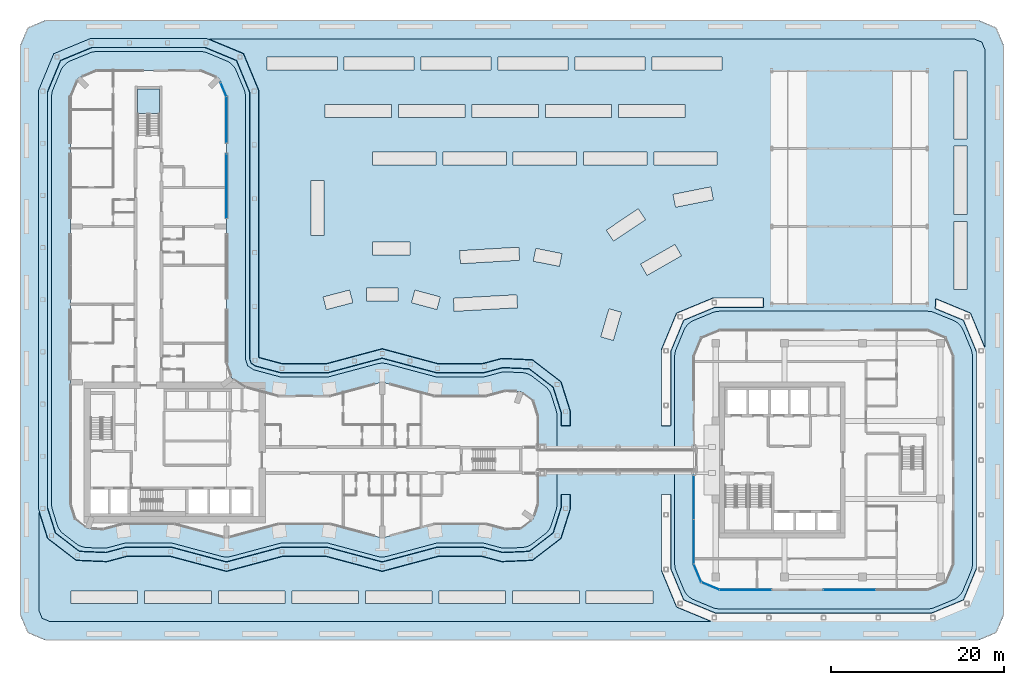
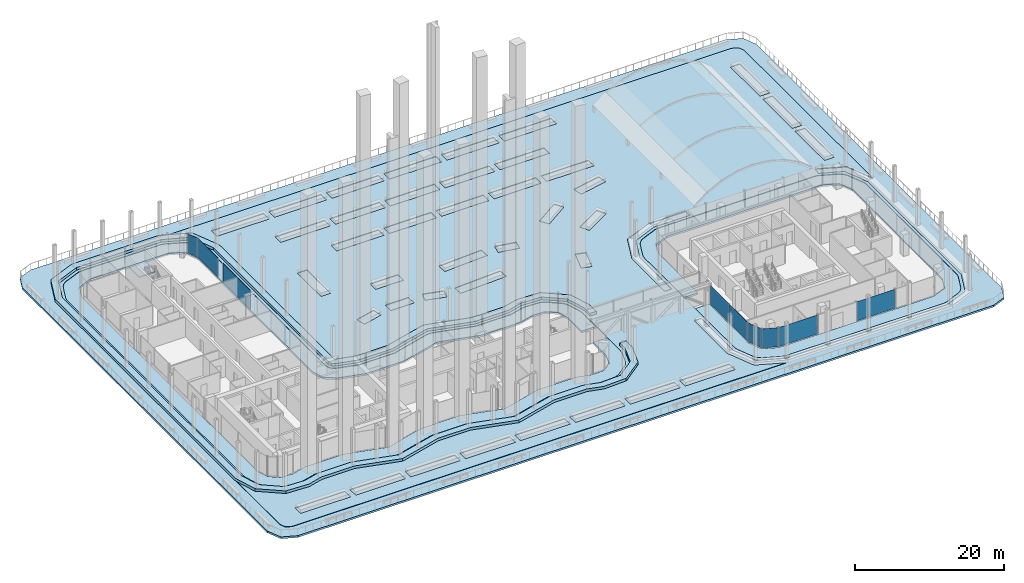
# One storey, part 21 of 33: 9 plates, 4 slabs, 9 elements without a shape of their own.
"""IFC4 building model written with IfcOpenShell, lengths in metres."""

from ifc_helpers import new_model, si_unit, direction, frame, origin, origin_2d, place, context, subcontext, project, spatial, polyline, rectangle, outline, extrude, material, layer, layer_set, type_object, element, aggregate, save


model = new_model("IFC4")

# Units and contexts
model_context = context("Model", 3, precision=1e-05, world=origin(), true_north=direction((0.0, 1.0)))
body_context = subcontext(model_context, "Body", "Model", "MODEL_VIEW")
ifc_project = project(units=[si_unit("LENGTHUNIT", "METRE"), si_unit("AREAUNIT", "SQUARE_METRE"), si_unit("VOLUMEUNIT", "CUBIC_METRE"), si_unit("PLANEANGLEUNIT", "RADIAN"), si_unit("MASSUNIT", "GRAM", prefix="KILO")], contexts=[model_context])

# Site, building, storey
site_placement = place(None, origin())
site = spatial("IfcSite", under=ifc_project, at=site_placement, CompositionType="ELEMENT")
building_placement = place(site_placement, origin())
building = spatial("IfcBuilding", under=site, at=building_placement, Name="Plateau Cross Towers", CompositionType="ELEMENT")
storey_placement = place(building_placement, frame((0.0, 0.0, 26.800048828125)))
storey = spatial("IfcBuildingStorey", under=building, at=storey_placement, Name="L05", CompositionType="ELEMENT", Elevation=26.800048828125)

# Curtain wall, plate
ifc_material_1 = material(Name="Dark low-iron glass", Category="glass")
ifc_layer_1 = layer(ifc_material_1, 0.239990234375)
ifc_layer_set_1 = layer_set([ifc_layer_1], Name="Dark low-iron glass")
curtain_wall_type_1 = type_object("IfcCurtainWallType", Name="Curtain wall office unitised CW-F", PredefinedType="NOTDEFINED", material=ifc_layer_set_1)
curtain_wall_1_placement = place(storey_placement, origin())
curtain_wall_1 = element("IfcCurtainWall", 1, at=curtain_wall_1_placement, inside=storey, type_object=curtain_wall_type_1, Name="ENV/B/L05/B750_-60", PredefinedType="NOTDEFINED")
ifc_layer_2 = layer(ifc_material_1, 0.028076171875)
ifc_layer_set_2 = layer_set([ifc_layer_2], Name="Dark low-iron glass")
plate_type_1 = type_object("IfcPlateType", Name="Glass panel 28 office unitised", PredefinedType="CURTAIN_PANEL", material=ifc_layer_set_2)
plate_1_placement = place(storey_placement, frame((78.0, -6.0, 0.1201171875), z_axis=(0.0, 0.0, 1.0), x_axis=(1.0, 0.0, 0.0)))
plate_1 = element("IfcPlate", 2, at=plate_1_placement, type_object=plate_type_1, Name="CW-F panel 1", PredefinedType="CURTAIN_PANEL", context=body_context, shape_type="SweptSolid", body=[
    extrude(rectangle(XDim=5.93994140625, YDim=0.028076171875, at=origin_2d()), origin(), (0.0, 0.0, 1.0), 3.1298828125),
])
aggregate(curtain_wall_1, [plate_1])

curtain_wall_2_placement = place(storey_placement, origin())
curtain_wall_2 = element("IfcCurtainWall", 3, at=curtain_wall_2_placement, inside=storey, type_object=curtain_wall_type_1, Name="ENV/B/L05/B870_-60", PredefinedType="NOTDEFINED")
plate_2_placement = place(storey_placement, frame((90.0, -6.0, 0.1201171875), z_axis=(0.0, 0.0, 1.0), x_axis=(1.0, 0.0, 0.0)))
plate_2 = element("IfcPlate", 4, at=plate_2_placement, type_object=plate_type_1, Name="CW-F panel 1", PredefinedType="CURTAIN_PANEL", context=body_context, shape_type="SweptSolid", body=[
    extrude(rectangle(XDim=5.93994140625, YDim=0.028076171875, at=origin_2d()), origin(), (0.0, 0.0, 1.0), 3.1298828125),
])
aggregate(curtain_wall_2, [plate_2])

# Curtain wall, plates
curtain_wall_3_placement = place(storey_placement, origin())
curtain_wall_3 = element("IfcCurtainWall", 5, at=curtain_wall_3_placement, inside=storey, type_object=curtain_wall_type_1, Name="ENV/B/L05/B720_72", PredefinedType="NOTDEFINED")
plate_3_placement = place(storey_placement, frame((72.0, 4.6611328125, 0.1201171875), z_axis=(0.0, 0.0, 1.0), x_axis=(0.0, -1.0, 0.0)))
plate_3 = element("IfcPlate", 6, at=plate_3_placement, type_object=plate_type_1, Name="CW-F panel 1", PredefinedType="CURTAIN_PANEL", context=body_context, shape_type="SweptSolid", body=[
    extrude(rectangle(XDim=5.047607421875, YDim=0.028076171875, at=origin_2d()), origin(), (0.0, 0.0, 1.0), 3.1298828125),
])
plate_4_placement = place(storey_placement, frame((72.0, -0.4462890625, 0.1201171875), z_axis=(0.0, 0.0, 1.0), x_axis=(0.0, -1.0, 0.0)))
plate_4 = element("IfcPlate", 7, at=plate_4_placement, type_object=plate_type_1, Name="CW-F panel 2", PredefinedType="CURTAIN_PANEL", context=body_context, shape_type="SweptSolid", body=[
    extrude(rectangle(XDim=5.047607421875, YDim=0.028076171875, at=origin_2d()), origin(), (0.0, 0.0, 1.0), 3.1298828125),
])
aggregate(curtain_wall_3, [plate_3, plate_4])

# Curtain wall, plate
curtain_wall_4_placement = place(storey_placement, origin())
curtain_wall_4 = element("IfcCurtainWall", 8, at=curtain_wall_4_placement, inside=storey, type_object=curtain_wall_type_1, Name="ENV/B/L05/B720_-30", PredefinedType="NOTDEFINED")
plate_5_placement = place(storey_placement, frame((72.439453125, -4.060546875, 0.1201171875), z_axis=(0.0, 0.0, 1.0), x_axis=(0.382683612978, -0.923879457699, 0.0)))
plate_5 = element("IfcPlate", 9, at=plate_5_placement, type_object=plate_type_1, Name="CW-F panel 1", PredefinedType="CURTAIN_PANEL", context=body_context, shape_type="SweptSolid", body=[
    extrude(rectangle(XDim=2.236083984375, YDim=0.028076171875, at=origin_2d()), origin(), (0.0, 0.0, 1.0), 3.1298828125),
])
aggregate(curtain_wall_4, [plate_5])

curtain_wall_5_placement = place(storey_placement, origin())
curtain_wall_5 = element("IfcCurtainWall", 10, at=curtain_wall_5_placement, inside=storey, type_object=curtain_wall_type_1, Name="ENV/B/L05/B729_-51", PredefinedType="NOTDEFINED")
plate_6_placement = place(storey_placement, frame((73.939453125, -5.560546875, 0.1201171875), z_axis=(0.0, 0.0, 1.0), x_axis=(0.923879457699, -0.382683612978, 0.0)))
plate_6 = element("IfcPlate", 11, at=plate_6_placement, type_object=plate_type_1, Name="CW-F panel 1", PredefinedType="CURTAIN_PANEL", context=body_context, shape_type="SweptSolid", body=[
    extrude(rectangle(XDim=2.236083984375, YDim=0.028076171875, at=origin_2d()), origin(), (0.0, 0.0, 1.0), 3.1298828125),
])
aggregate(curtain_wall_5, [plate_6])

ifc_layer_3 = layer(ifc_material_1, 0.239990234375)
ifc_layer_set_3 = layer_set([ifc_layer_3], Name="Dark low-iron glass")
curtain_wall_type_2 = type_object("IfcCurtainWallType", Name="Curtain wall flush unitised CW-B", PredefinedType="NOTDEFINED", material=ifc_layer_set_3)
curtain_wall_6_placement = place(storey_placement, origin())
curtain_wall_6 = element("IfcCurtainWall", 12, at=curtain_wall_6_placement, inside=storey, type_object=curtain_wall_type_2, Name="ENV/A/L05/A180_369", PredefinedType="NOTDEFINED")
ifc_layer_4 = layer(ifc_material_1, 0.031982421875)
ifc_layer_set_4 = layer_set([ifc_layer_4], Name="Dark low-iron glass")
plate_type_2 = type_object("IfcPlateType", Name="Glass panel 32 flush unitised", PredefinedType="CURTAIN_PANEL", material=ifc_layer_set_4)
plate_7_placement = place(storey_placement, frame((18.0, 40.64990234375, 0.1201171875), z_axis=(0.0, 0.0, 1.0), x_axis=(0.0, 1.0, 0.0)))
plate_7 = element("IfcPlate", 13, at=plate_7_placement, type_object=plate_type_2, Name="CW-B panel 1", PredefinedType="CURTAIN_PANEL", context=body_context, shape_type="SweptSolid", body=[
    extrude(rectangle(XDim=7.39990234375, YDim=0.031982421875, at=origin_2d()), origin(), (0.0, 0.0, 1.0), 3.1298828125),
])
aggregate(curtain_wall_6, [plate_7])

curtain_wall_7_placement = place(storey_placement, origin())
curtain_wall_7 = element("IfcCurtainWall", 14, at=curtain_wall_7_placement, inside=storey, type_object=curtain_wall_type_2, Name="ENV/A/L05/A180_456", PredefinedType="NOTDEFINED")
plate_8_placement = place(storey_placement, frame((18.0, 48.31005859375, 0.1201171875), z_axis=(0.0, 0.0, 1.0), x_axis=(0.0, 1.0, 0.0)))
plate_8 = element("IfcPlate", 15, at=plate_8_placement, type_object=plate_type_2, Name="CW-B panel 1", PredefinedType="CURTAIN_PANEL", context=body_context, shape_type="SweptSolid", body=[
    extrude(rectangle(XDim=5.320068359375, YDim=0.031982421875, at=origin_2d()), origin(), (0.0, 0.0, 1.0), 3.1298828125),
])
aggregate(curtain_wall_7, [plate_8])

curtain_wall_8_placement = place(storey_placement, origin())
curtain_wall_8 = element("IfcCurtainWall", 16, at=curtain_wall_8_placement, inside=storey, type_object=curtain_wall_type_2, Name="ENV/A/L05/A180_510", PredefinedType="NOTDEFINED")
plate_9_placement = place(storey_placement, frame((17.66943359375, 51.79833984375, 0.1201171875), z_axis=(0.0, 0.0, 1.0), x_axis=(-0.382683612978, 0.923879457699, 0.0)))
plate_9 = element("IfcPlate", 17, at=plate_9_placement, type_object=plate_type_2, Name="CW-B panel 1", PredefinedType="CURTAIN_PANEL", context=body_context, shape_type="SweptSolid", body=[
    extrude(rectangle(XDim=1.668212890625, YDim=0.031982421875, at=origin_2d()), origin(), (0.0, 0.0, 1.0), 3.1298828125),
])
aggregate(curtain_wall_8, [plate_9])

# Slabs
ifc_material_2 = material(Name="Concrete C40/50", Category="concrete")
ifc_layer_5 = layer(ifc_material_2, 0.449951171875)
ifc_layer_set_5 = layer_set([ifc_layer_5], Name="Concrete C40/50")
slab_type_1 = type_object("IfcSlabType", Name="Plinth base kerb 450", PredefinedType="FLOOR", material=ifc_layer_set_5)
slab_1_placement = place(storey_placement, origin())
element("IfcSlab", 18, at=slab_1_placement, inside=storey, type_object=slab_type_1, Name="Plinth base kerb 3", PredefinedType="FLOOR", context=body_context, shape_type="SweptSolid", body=[
    extrude(outline(polyline([(-3.699951171875, 3.33984375), (-3.699951171875, 51.736083984375), (-1.953125, 55.953125), (2.263916015625, 57.699951171875), (15.736083984375, 57.699951171875), (19.953125, 55.953125), (21.699951171875, 51.736083984375), (21.699951171875, 20.913330078125), (21.719970703125, 20.854736328125), (21.771240234375, 20.8203125), (24.48681640625, 20.093017578125), (29.51318359375, 20.093017578125), (36.0, 21.830322265625), (42.48681640625, 20.093017578125), (47.51318359375, 20.093017578125), (49.81689453125, 20.7099609375), (53.353515625, 20.55517578125), (56.635498046875, 18.03662109375), (57.699951171875, 14.66015625), (57.699951171875, 13.0), (56.699951171875, 13.0), (56.699951171875, 14.50634765625), (55.776611328125, 17.43505859375), (52.994873046875, 19.570068359375), (49.9267578125, 19.704345703125), (47.644775390625, 19.093017578125), (42.355224609375, 19.093017578125), (36.0, 20.795166015625), (29.644775390625, 19.093017578125), (24.355224609375, 19.093017578125), (21.35302734375, 19.897216796875), (20.882080078125, 20.211669921875), (20.699951171875, 20.748046875), (20.699951171875, 51.537109375), (19.187744140625, 55.187744140625), (15.537109375, 56.699951171875), (2.462890625, 56.699951171875), (-1.187744140625, 55.187744140625), (-2.699951171875, 51.537109375), (-2.699951171875, 3.49365234375), (-1.776611328125, 0.56494140625), (1.005126953125, -1.570068359375), (4.0732421875, -1.704345703125), (6.355224609375, -1.093017578125), (11.644775390625, -1.093017578125), (18.0, -2.795166015625), (24.355224609375, -1.093017578125), (29.644775390625, -1.093017578125), (36.0, -2.795166015625), (42.355224609375, -1.093017578125), (47.644775390625, -1.093017578125), (49.9267578125, -1.704345703125), (52.994873046875, -1.570068359375), (55.776611328125, 0.56494140625), (56.699951171875, 3.49365234375), (56.699951171875, 5.0), (57.699951171875, 5.0), (57.699951171875, 3.33984375), (56.635498046875, -0.03662109375), (53.353515625, -2.55517578125), (49.81689453125, -2.7099609375), (47.51318359375, -2.093017578125), (42.48681640625, -2.093017578125), (36.0, -3.830322265625), (29.51318359375, -2.093017578125), (24.48681640625, -2.093017578125), (18.0, -3.830322265625), (11.51318359375, -2.093017578125), (6.48681640625, -2.093017578125), (4.18310546875, -2.7099609375), (0.646484375, -2.55517578125), (-2.635498046875, -0.03662109375), (-3.699951171875, 3.33984375)])), origin(), (0.0, 0.0, 1.0), 0.449951171875),
])
ifc_layer_6 = layer(ifc_material_2, 0.300048828125)
ifc_layer_set_6 = layer_set([ifc_layer_6], Name="Concrete C40/50")
slab_type_2 = type_object("IfcSlabType", Name="Post-tensioned deck slab 300", PredefinedType="FLOOR", material=ifc_layer_set_6)
slab_2_placement = place(storey_placement, frame((0.0, 0.0, -0.300048828125)))
element("IfcSlab", 19, at=slab_2_placement, inside=storey, type_object=slab_type_2, Name="SL-A-podium-roof", PredefinedType="FLOOR", context=body_context, shape_type="SweptSolid", body=[
    extrude(outline(polyline([(-2.85009765625, 59.85009765625), (104.85009765625, 59.85009765625), (106.971435546875, 58.971435546875), (107.85009765625, 56.85009765625), (107.85009765625, -8.85009765625), (106.971435546875, -10.971435546875), (104.85009765625, -11.85009765625), (-2.85009765625, -11.85009765625), (-4.971435546875, -10.971435546875), (-5.85009765625, -8.85009765625), (-5.85009765625, 56.85009765625), (-4.971435546875, 58.971435546875), (-2.85009765625, 59.85009765625)]), holes=[polyline([(30.0, 1.60693359375), (36.0, 0.0), (42.0, 1.60693359375), (48.0, 1.60693359375), (50.223876953125, 1.01123046875), (52.0263671875, 1.090087890625), (53.45751953125, 2.1884765625), (54.0, 3.9091796875), (54.0, 7.5), (72.0, 7.5), (72.0, -3.0), (72.878662109375, -5.121337890625), (75.0, -6.0), (99.0, -6.0), (101.121337890625, -5.121337890625), (102.0, -3.0), (102.0, 21.0), (101.121337890625, 23.121337890625), (99.0, 24.0), (75.0, 24.0), (72.878662109375, 23.121337890625), (72.0, 21.0), (72.0, 10.5), (54.0, 10.5), (54.0, 14.0908203125), (53.45751953125, 15.8115234375), (52.0263671875, 16.909912109375), (50.223876953125, 16.98876953125), (48.0, 16.39306640625), (42.0, 16.39306640625), (36.0, 18.0), (30.0, 16.39306640625), (24.0, 16.39306640625), (20.223876953125, 17.404296875), (18.6201171875, 18.475830078125), (18.0, 20.30224609375), (18.0, 51.0), (17.121337890625, 53.121337890625), (15.0, 54.0), (3.0, 54.0), (0.878662109375, 53.121337890625), (0.0, 51.0), (0.0, 3.9091796875), (0.54248046875, 2.1884765625), (1.9736328125, 1.090087890625), (3.776123046875, 1.01123046875), (6.0, 1.60693359375), (12.0, 1.60693359375), (18.0, 0.0), (24.0, 1.60693359375), (30.0, 1.60693359375)])]), origin(), (0.0, 0.0, 1.0), 0.300048828125),
])
ifc_material_3 = material(Name="Concrete C30/37", Category="concrete")
ifc_layer_7 = layer(ifc_material_3, 0.06005859375)
ifc_layer_set_7 = layer_set([ifc_layer_7], Name="Concrete C30/37")
slab_type_3 = type_object("IfcSlabType", Name="Roof terrace paving 60", PredefinedType="FLOOR", material=ifc_layer_set_7)
slab_3_placement = place(storey_placement, origin())
element("IfcSlab", 20, at=slab_3_placement, inside=storey, type_object=slab_type_3, Name="Roof terrace paving 1", PredefinedType="FLOOR", context=body_context, shape_type="SweptSolid", body=[
    extrude(outline(polyline([(104.412353515625, 57.64990234375), (105.28759765625, 57.28759765625), (105.64990234375, 56.412353515625), (105.64990234375, 21.9873046875), (103.98486328125, 25.991943359375), (100.0048828125, 27.640380859375), (99.968505859375, 27.62939453125), (99.9501953125, 27.595947265625), (99.9453125, 26.906982421875), (99.908935546875, 26.72412109375), (99.84326171875, 26.55224609375), (99.8740234375, 26.50634765625), (103.149658203125, 25.149658203125), (104.64990234375, 21.527099609375), (104.64990234375, -3.527099609375), (103.149658203125, -7.149658203125), (99.527099609375, -8.64990234375), (74.472900390625, -8.64990234375), (70.850341796875, -7.149658203125), (69.35009765625, -3.527099609375), (69.34912109375, 5.009765625), (69.331787109375, 5.03857421875), (69.300048828125, 5.050048828125), (68.300048828125, 5.050048828125), (68.2646484375, 5.035400390625), (68.25, 5.0), (68.25390625, -3.755126953125), (70.011474609375, -7.988525390625), (74.0126953125, -9.64990234375), (-2.412353515625, -9.64990234375), (-3.28759765625, -9.28759765625), (-3.64990234375, -8.412353515625), (-3.64990234375, 3.014892578125), (-2.676513671875, -0.065185546875), (0.63916015625, -2.604736328125), (4.18603515625, -2.760009765625), (6.493408203125, -2.14306640625), (11.506591796875, -2.14306640625), (18.002685546875, -3.88037109375), (24.493408203125, -2.14306640625), (29.506591796875, -2.14306640625), (36.002685546875, -3.88037109375), (42.493408203125, -2.14306640625), (47.506591796875, -2.14306640625), (49.81396484375, -2.760009765625), (53.37060546875, -2.602294921875), (56.676513671875, -0.065185546875), (57.75, 3.33984375), (57.741455078125, 5.02783203125), (57.699951171875, 5.050048828125), (56.672119140625, 5.04150390625), (56.64990234375, 5.0), (56.64990234375, 3.501220703125), (55.733642578125, 0.594970703125), (52.976806640625, -1.520751953125), (49.932373046875, -1.654052734375), (47.649169921875, -1.043212890625), (42.350830078125, -1.043212890625), (36.0, -2.743408203125), (29.644775390625, -1.043212890625), (24.3466796875, -1.0439453125), (18.0, -2.743408203125), (11.649169921875, -1.043212890625), (6.350830078125, -1.043212890625), (4.067626953125, -1.654052734375), (1.023193359375, -1.520751953125), (-1.733642578125, 0.594970703125), (-2.64990234375, 3.501220703125), (-2.64990234375, 51.527099609375), (-1.149658203125, 55.149658203125), (2.472900390625, 56.64990234375), (15.527099609375, 56.64990234375), (19.149658203125, 55.149658203125), (20.64990234375, 51.527099609375), (20.64990234375, 20.748046875), (20.854248046875, 20.170166015625), (21.340087890625, 19.848876953125), (24.355224609375, 19.043212890625), (29.6533203125, 19.0439453125), (36.0, 20.743408203125), (42.350830078125, 19.043212890625), (47.649169921875, 19.043212890625), (49.932373046875, 19.654052734375), (52.976806640625, 19.520751953125), (55.733642578125, 17.405029296875), (56.64990234375, 14.498779296875), (56.65380859375, 12.98095703125), (56.699951171875, 12.949951171875), (57.699951171875, 12.949951171875), (57.7353515625, 12.964599609375), (57.75, 13.0), (57.7490234375, 14.67041015625), (56.67919921875, 18.060791015625), (53.36572265625, 20.603759765625), (49.81396484375, 20.760009765625), (47.506591796875, 20.14306640625), (42.493408203125, 20.14306640625), (36.002685546875, 21.88037109375), (29.506591796875, 20.14306640625), (24.493408203125, 20.14306640625), (21.792236328125, 20.866455078125), (21.76171875, 20.886962890625), (21.75, 20.92138671875), (21.7490234375, 51.745849609375), (19.988525390625, 55.988525390625), (15.9873046875, 57.64990234375), (104.412353515625, 57.64990234375)]), holes=[polyline([(99.42919921875, -8.15771484375), (99.638671875, -8.105224609375), (99.841796875, -8.032470703125), (101.963134765625, -7.15380859375), (102.158447265625, -7.0615234375), (102.343505859375, -6.950439453125), (102.51708984375, -6.822021484375), (102.677001953125, -6.677001953125), (102.822021484375, -6.51708984375), (102.950439453125, -6.343505859375), (103.0615234375, -6.158447265625), (103.15380859375, -5.963134765625), (104.032470703125, -3.841796875), (104.105224609375, -3.638671875), (104.15771484375, -3.42919921875), (104.189453125, -3.215576171875), (104.199951171875, -3.0), (104.199951171875, 21.0), (104.189453125, 21.215576171875), (104.15771484375, 21.42919921875), (104.105224609375, 21.638671875), (104.032470703125, 21.841796875), (103.15380859375, 23.963134765625), (103.0615234375, 24.158447265625), (102.950439453125, 24.343505859375), (102.822021484375, 24.51708984375), (102.677001953125, 24.677001953125), (102.51708984375, 24.822021484375), (102.343505859375, 24.950439453125), (102.158447265625, 25.0615234375), (101.963134765625, 25.15380859375), (99.638671875, 26.105224609375), (99.42919921875, 26.15771484375), (99.215576171875, 26.189453125), (99.0, 26.199951171875), (75.0, 26.199951171875), (74.784423828125, 26.189453125), (74.57080078125, 26.15771484375), (74.361328125, 26.105224609375), (74.158203125, 26.032470703125), (72.036865234375, 25.15380859375), (71.841552734375, 25.0615234375), (71.656494140625, 24.950439453125), (71.48291015625, 24.822021484375), (71.322998046875, 24.677001953125), (71.177978515625, 24.51708984375), (71.049560546875, 24.343505859375), (70.9384765625, 24.158447265625), (70.84619140625, 23.963134765625), (69.894775390625, 21.638671875), (69.84228515625, 21.42919921875), (69.810546875, 21.215576171875), (69.800048828125, 21.0), (69.800048828125, -3.0), (69.810546875, -3.215576171875), (69.84228515625, -3.42919921875), (69.894775390625, -3.638671875), (69.967529296875, -3.841796875), (70.84619140625, -5.963134765625), (70.9384765625, -6.158447265625), (71.049560546875, -6.343505859375), (71.177978515625, -6.51708984375), (71.322998046875, -6.677001953125), (71.48291015625, -6.822021484375), (71.656494140625, -6.950439453125), (71.841552734375, -7.0615234375), (72.036865234375, -7.15380859375), (74.158203125, -8.032470703125), (74.361328125, -8.105224609375), (74.57080078125, -8.15771484375), (74.784423828125, -8.189453125), (75.0, -8.199951171875), (99.0, -8.199951171875), (99.215576171875, -8.189453125), (99.42919921875, -8.15771484375)]), polyline([(17.656005859375, -2.1728515625), (17.885009765625, -2.197021484375), (18.114990234375, -2.197021484375), (18.343994140625, -2.1728515625), (18.569091796875, -2.125), (24.28955078125, -0.593017578125), (29.71044921875, -0.593017578125), (35.430908203125, -2.125), (35.656005859375, -2.1728515625), (35.885009765625, -2.197021484375), (36.114990234375, -2.197021484375), (36.343994140625, -2.1728515625), (36.569091796875, -2.125), (42.28955078125, -0.593017578125), (47.71044921875, -0.593017578125), (49.65478515625, -1.11376953125), (49.873779296875, -1.16064453125), (50.09619140625, -1.18505859375), (50.320068359375, -1.1865234375), (52.12255859375, -1.107666015625), (52.345458984375, -1.086669921875), (52.56494140625, -1.04296875), (52.77880859375, -0.97705078125), (52.985107421875, -0.889892578125), (53.181396484375, -0.7822265625), (53.36572265625, -0.655029296875), (54.796875, 0.443359375), (54.96728515625, 0.58837890625), (55.1220703125, 0.750244140625), (55.259765625, 0.9267578125), (55.378662109375, 1.116455078125), (55.4775390625, 1.317138671875), (55.5556640625, 1.527099609375), (56.09814453125, 3.24755859375), (56.154541015625, 3.46435546875), (56.188720703125, 3.685546875), (56.199951171875, 3.9091796875), (56.199951171875, 14.0908203125), (56.188720703125, 14.314453125), (56.154541015625, 14.53564453125), (56.09814453125, 14.75244140625), (55.5556640625, 16.472900390625), (55.4775390625, 16.682861328125), (55.378662109375, 16.883544921875), (55.259765625, 17.0732421875), (55.1220703125, 17.249755859375), (54.96728515625, 17.41162109375), (54.796875, 17.556640625), (53.36572265625, 18.655029296875), (53.181396484375, 18.7822265625), (52.985107421875, 18.889892578125), (52.77880859375, 18.97705078125), (52.56494140625, 19.04296875), (52.345458984375, 19.086669921875), (52.12255859375, 19.107666015625), (50.320068359375, 19.1865234375), (50.09619140625, 19.18505859375), (49.873779296875, 19.16064453125), (49.65478515625, 19.11376953125), (47.71044921875, 18.593017578125), (42.28955078125, 18.593017578125), (36.569091796875, 20.125), (36.343994140625, 20.1728515625), (36.114990234375, 20.197021484375), (35.885009765625, 20.197021484375), (35.656005859375, 20.1728515625), (35.430908203125, 20.125), (29.71044921875, 18.593017578125), (24.28955078125, 18.593017578125), (21.14404296875, 19.435546875), (20.463134765625, 19.890380859375), (20.199951171875, 20.66552734375), (20.199951171875, 51.0), (20.189453125, 51.215576171875), (20.15771484375, 51.42919921875), (20.105224609375, 51.638671875), (20.032470703125, 51.841796875), (19.0615234375, 54.158447265625), (18.950439453125, 54.343505859375), (18.822021484375, 54.51708984375), (18.677001953125, 54.677001953125), (18.51708984375, 54.822021484375), (18.343505859375, 54.950439453125), (18.158447265625, 55.0615234375), (15.841796875, 56.032470703125), (15.638671875, 56.105224609375), (15.42919921875, 56.15771484375), (15.215576171875, 56.189453125), (15.0, 56.199951171875), (3.0, 56.199951171875), (2.784423828125, 56.189453125), (2.57080078125, 56.15771484375), (2.361328125, 56.105224609375), (0.036865234375, 55.15380859375), (-0.158447265625, 55.0615234375), (-0.343505859375, 54.950439453125), (-0.51708984375, 54.822021484375), (-0.677001953125, 54.677001953125), (-0.822021484375, 54.51708984375), (-0.950439453125, 54.343505859375), (-1.0615234375, 54.158447265625), (-1.15380859375, 53.963134765625), (-2.032470703125, 51.841796875), (-2.105224609375, 51.638671875), (-2.15771484375, 51.42919921875), (-2.189453125, 51.215576171875), (-2.199951171875, 51.0), (-2.199951171875, 3.9091796875), (-2.188720703125, 3.685546875), (-2.154541015625, 3.46435546875), (-2.09814453125, 3.24755859375), (-1.5556640625, 1.527099609375), (-1.4775390625, 1.317138671875), (-1.378662109375, 1.116455078125), (-1.259765625, 0.9267578125), (-1.1220703125, 0.750244140625), (-0.96728515625, 0.58837890625), (-0.796875, 0.443359375), (0.63427734375, -0.655029296875), (0.818603515625, -0.7822265625), (1.014892578125, -0.889892578125), (1.22119140625, -0.97705078125), (1.43505859375, -1.04296875), (1.654541015625, -1.086669921875), (1.87744140625, -1.107666015625), (3.679931640625, -1.1865234375), (3.90380859375, -1.18505859375), (4.126220703125, -1.16064453125), (4.34521484375, -1.11376953125), (6.28955078125, -0.593017578125), (11.71044921875, -0.593017578125), (17.430908203125, -2.125), (17.656005859375, -2.1728515625)]), polyline([(16.25830078125, -7.60009765625), (16.25830078125, -6.10009765625), (8.55419921875, -6.10009765625), (8.55419921875, -7.60009765625), (16.25830078125, -7.60009765625)]), polyline([(24.76220703125, -7.60009765625), (24.76220703125, -6.10009765625), (17.05810546875, -6.10009765625), (17.05810546875, -7.60009765625), (24.76220703125, -7.60009765625)]), polyline([(7.754150390625, -7.60009765625), (7.754150390625, -6.10009765625), (0.050048828125, -6.10009765625), (0.050048828125, -7.60009765625), (7.754150390625, -7.60009765625)]), polyline([(33.266357421875, -7.60009765625), (33.266357421875, -6.10009765625), (25.562255859375, -6.10009765625), (25.562255859375, -7.60009765625), (33.266357421875, -7.60009765625)]), polyline([(50.274658203125, -7.60009765625), (50.274658203125, -6.10009765625), (42.570556640625, -6.10009765625), (42.570556640625, -7.60009765625), (50.274658203125, -7.60009765625)]), polyline([(41.7705078125, -7.60009765625), (41.7705078125, -6.10009765625), (34.06640625, -6.10009765625), (34.06640625, -7.60009765625), (41.7705078125, -7.60009765625)]), polyline([(51.62841796875, 26.600830078125), (51.545166015625, 28.0986328125), (44.238525390625, 27.69189453125), (44.322021484375, 26.1943359375), (51.62841796875, 26.600830078125)]), polyline([(29.560302734375, 26.394775390625), (32.602294921875, 27.189453125), (32.223388671875, 28.640869140625), (29.18115234375, 27.84619140625), (29.560302734375, 26.394775390625)]), polyline([(39.3916015625, 27.185302734375), (42.318359375, 26.4013671875), (42.706298828125, 27.850341796875), (39.77978515625, 28.63427734375), (39.3916015625, 27.185302734375)]), polyline([(37.81640625, 27.392578125), (37.81640625, 28.892578125), (34.18359375, 28.892578125), (34.18359375, 27.392578125), (37.81640625, 27.392578125)]), polyline([(51.870849609375, 32.093505859375), (51.783935546875, 33.591064453125), (44.96044921875, 33.194091796875), (45.04736328125, 31.696533203125), (51.870849609375, 32.093505859375)]), polyline([(39.2392578125, 32.705322265625), (39.2392578125, 34.205322265625), (34.89990234375, 34.205322265625), (34.89990234375, 32.705322265625), (39.2392578125, 32.705322265625)]), polyline([(27.75, 41.297607421875), (27.75, 34.9453125), (29.25, 34.9453125), (29.25, 41.297607421875), (27.75, 41.297607421875)]), polyline([(42.221435546875, 44.60009765625), (34.89990234375, 44.60009765625), (34.89990234375, 43.10009765625), (42.221435546875, 43.10009765625), (42.221435546875, 44.60009765625)]), polyline([(43.021484375, 44.60009765625), (43.021484375, 43.10009765625), (50.3427734375, 43.10009765625), (50.3427734375, 44.60009765625), (43.021484375, 44.60009765625)]), polyline([(37.88134765625, 50.10009765625), (37.88134765625, 48.60009765625), (45.5625, 48.60009765625), (45.5625, 50.10009765625), (37.88134765625, 50.10009765625)]), polyline([(29.39990234375, 50.10009765625), (29.39990234375, 48.60009765625), (37.081298828125, 48.60009765625), (37.081298828125, 50.10009765625), (29.39990234375, 50.10009765625)]), polyline([(39.702392578125, 55.60009765625), (31.60986328125, 55.60009765625), (31.60986328125, 54.10009765625), (39.702392578125, 54.10009765625), (39.702392578125, 55.60009765625)]), polyline([(48.5947265625, 55.60009765625), (40.502197265625, 55.60009765625), (40.502197265625, 54.10009765625), (48.5947265625, 54.10009765625), (48.5947265625, 55.60009765625)]), polyline([(22.71728515625, 55.60009765625), (22.71728515625, 54.10009765625), (30.809814453125, 54.10009765625), (30.809814453125, 55.60009765625), (22.71728515625, 55.60009765625)]), polyline([(67.28271484375, -7.60009765625), (67.28271484375, -6.10009765625), (59.57861328125, -6.10009765625), (59.57861328125, -7.60009765625), (67.28271484375, -7.60009765625)]), polyline([(58.778564453125, -7.60009765625), (58.778564453125, -6.10009765625), (51.074462890625, -6.10009765625), (51.074462890625, -7.60009765625), (58.778564453125, -7.60009765625)]), polyline([(62.705078125, 22.828369140625), (63.646728515625, 26.06591796875), (62.206298828125, 26.48486328125), (61.2646484375, 23.247314453125), (62.705078125, 22.828369140625)]), polyline([(66.607421875, 30.340576171875), (70.572021484375, 32.603271484375), (69.828369140625, 33.906005859375), (65.864013671875, 31.643310546875), (66.607421875, 30.340576171875)]), polyline([(56.470703125, 31.384521484375), (56.763671875, 32.855712890625), (53.7548828125, 33.454345703125), (53.462158203125, 31.9833984375), (56.470703125, 31.384521484375)]), polyline([(103.60009765625, 36.5947265625), (102.10009765625, 36.5947265625), (102.10009765625, 28.71728515625), (103.60009765625, 28.71728515625), (103.60009765625, 36.5947265625)]), polyline([(66.424072265625, 36.77978515625), (65.5908203125, 38.027099609375), (61.896728515625, 35.55859375), (62.72998046875, 34.3115234375), (66.424072265625, 36.77978515625)]), polyline([(69.906005859375, 38.22216796875), (74.263671875, 39.0888671875), (73.970947265625, 40.56005859375), (69.613525390625, 39.693359375), (69.906005859375, 38.22216796875)]), polyline([(103.60009765625, 37.394775390625), (103.60009765625, 45.2724609375), (102.10009765625, 45.2724609375), (102.10009765625, 37.394775390625), (103.60009765625, 37.394775390625)]), polyline([(59.264404296875, 44.60009765625), (59.264404296875, 43.10009765625), (66.585693359375, 43.10009765625), (66.585693359375, 44.60009765625), (59.264404296875, 44.60009765625)]), polyline([(51.142822265625, 44.60009765625), (51.142822265625, 43.10009765625), (58.46435546875, 43.10009765625), (58.46435546875, 44.60009765625), (51.142822265625, 44.60009765625)]), polyline([(67.3857421875, 44.60009765625), (67.3857421875, 43.10009765625), (74.70703125, 43.10009765625), (74.70703125, 44.60009765625), (67.3857421875, 44.60009765625)]), polyline([(62.52490234375, 50.10009765625), (54.84375, 50.10009765625), (54.84375, 48.60009765625), (62.52490234375, 48.60009765625), (62.52490234375, 50.10009765625)]), polyline([(71.00634765625, 50.10009765625), (63.324951171875, 50.10009765625), (63.324951171875, 48.60009765625), (71.00634765625, 48.60009765625), (71.00634765625, 50.10009765625)]), polyline([(46.362548828125, 50.10009765625), (46.362548828125, 48.60009765625), (54.043701171875, 48.60009765625), (54.043701171875, 50.10009765625), (46.362548828125, 50.10009765625)]), polyline([(103.60009765625, 53.949951171875), (102.10009765625, 53.949951171875), (102.10009765625, 46.072509765625), (103.60009765625, 46.072509765625), (103.60009765625, 53.949951171875)]), polyline([(58.287353515625, 55.60009765625), (58.287353515625, 54.10009765625), (66.3798828125, 54.10009765625), (66.3798828125, 55.60009765625), (58.287353515625, 55.60009765625)]), polyline([(57.4873046875, 55.60009765625), (49.394775390625, 55.60009765625), (49.394775390625, 54.10009765625), (57.4873046875, 54.10009765625), (57.4873046875, 55.60009765625)]), polyline([(75.2724609375, 55.60009765625), (67.179931640625, 55.60009765625), (67.179931640625, 54.10009765625), (75.2724609375, 54.10009765625), (75.2724609375, 55.60009765625)]), polyline([(68.25, 13.0), (68.2646484375, 12.964599609375), (68.300048828125, 12.949951171875), (69.300048828125, 12.949951171875), (69.331787109375, 12.96142578125), (69.34912109375, 12.990234375), (69.35009765625, 21.527099609375), (70.850341796875, 25.149658203125), (74.472900390625, 26.64990234375), (80.060791015625, 26.652099609375), (80.08740234375, 26.67138671875), (80.096435546875, 26.703125), (80.068603515625, 26.813720703125), (80.050048828125, 27.00244140625), (80.050048828125, 27.699951171875), (80.03173828125, 27.73876953125), (80.0, 27.75), (74.254150390625, 27.7490234375), (70.008056640625, 25.98486328125), (68.250244140625, 21.740966796875), (68.25, 13.0)])]), origin(), (0.0, 0.0, 1.0), 0.06005859375),
])

# Stair, slab
stair_type = type_object("IfcStairType", Name="ST-TWR", PredefinedType="HALF_TURN_STAIR", material=ifc_material_2)
stair_placement = place(storey_placement, origin())
stair = element("IfcStair", 21, at=stair_placement, inside=storey, type_object=stair_type, Name="L05 Protected Exit Stair N", PredefinedType="HALF_TURN_STAIR")
ifc_layer_8 = layer(ifc_material_2, 0.199951171875)
ifc_layer_set_8 = layer_set([ifc_layer_8], Name="Concrete C40/50")
slab_type_4 = type_object("IfcSlabType", Name="SL-LANDING", PredefinedType="LANDING", material=ifc_layer_set_8)
slab_4_placement = place(storey_placement, frame((0.0, 0.0, 1.550048828125)))
slab_4 = element("IfcSlab", 22, at=slab_4_placement, type_object=slab_type_4, Name="ES-N landing 1", PredefinedType="LANDING", context=body_context, shape_type="SweptSolid", body=[
    extrude(outline(polyline([(10.27490234375, 49.02001953125), (10.27490234375, 51.85009765625), (7.72509765625, 51.85009765625), (7.72509765625, 49.02001953125), (10.27490234375, 49.02001953125)])), origin(), (0.0, 0.0, 1.0), 0.199951171875),
])
aggregate(stair, [slab_4])

save(model, "model.ifc")
